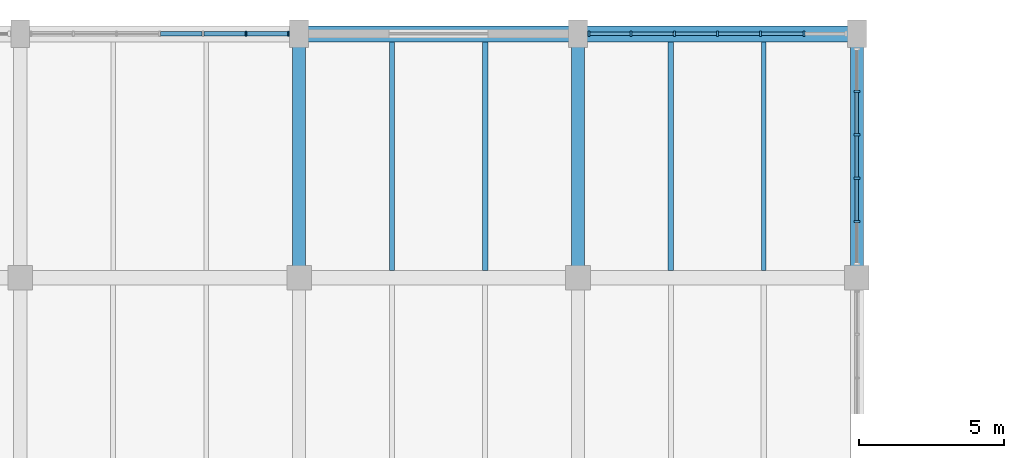
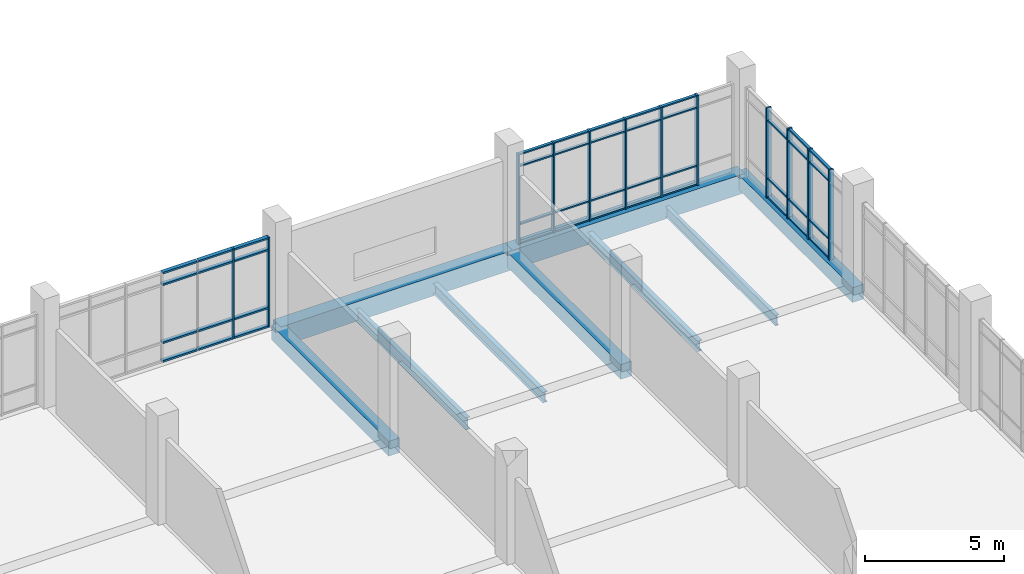
# One storey, part 80 of 152: 55 members, 9 beams, 3 elements without a shape of their own.
"""IFC4 building model written with IfcOpenShell, lengths in metres."""

from ifc_helpers import new_model, si_unit, direction, frame, origin, origin_2d, place, context, subcontext, project, spatial, rectangle, i_section, extrude, material, material_profile, profile_set, type_object, element, aggregate, save


model = new_model("IFC4")

# Units and contexts
model_context = context("Model", 3, precision=1e-05, world=origin(), true_north=direction((0.0, 1.0)))
body_context = subcontext(model_context, "Body", "Model", "MODEL_VIEW")
ifc_project = project(units=[si_unit("LENGTHUNIT", "METRE"), si_unit("AREAUNIT", "SQUARE_METRE"), si_unit("VOLUMEUNIT", "CUBIC_METRE"), si_unit("PLANEANGLEUNIT", "RADIAN"), si_unit("MASSUNIT", "GRAM", prefix="KILO")], contexts=[model_context])

# Site, building, storey
site_placement = place(None, origin())
site = spatial("IfcSite", under=ifc_project, at=site_placement, CompositionType="ELEMENT")
building_placement = place(site_placement, origin())
building = spatial("IfcBuilding", under=site, at=building_placement, Name="Oolite Switchyard Hospital", CompositionType="ELEMENT")
storey_placement = place(building_placement, frame((0.0, 0.0, 5.10009765625)))
storey = spatial("IfcBuildingStorey", under=building, at=storey_placement, Name="L01", CompositionType="ELEMENT", Elevation=5.10009765625)

# Beams
ifc_material_1 = material(Name="Concrete C40/50", Category="concrete")
ifc_material_profile_1 = material_profile(ifc_material_1, rectangle(XDim=0.449951171875, YDim=0.64990234375, at=origin_2d()), Name="RCB450X650")
ifc_profile_set_1 = profile_set([ifc_material_profile_1], Name="Concrete C40/50")
beam_type_1 = type_object("IfcBeamType", Name="BM-RC450X650", PredefinedType="BEAM", material=ifc_profile_set_1)
for number, where, z_axis, x_axis, name in (
    (1, (57.60009765625, 126.0, -0.3251953125), (0.0, 1.0, 0.0), (-1.0, 0.0, 0.0), "L01 Y-Girder 396"),
    (2, (67.199951171875, 126.0, -0.3251953125), (0.0, 1.0, 0.0), (-1.0, 0.0, 0.0), "L01 Y-Girder 406"),
    (3, (76.800048828125, 126.0, -0.3251953125), (0.0, 1.0, 0.0), (-1.0, 0.0, 0.0), "L01 Y-Girder 412"),
):
    element("IfcBeam", number, at=place(storey_placement, frame(where, z_axis=z_axis, x_axis=x_axis)), inside=storey, type_object=beam_type_1, Name=name, PredefinedType="BEAM", context=body_context, shape_type="SweptSolid", body=[
        extrude(rectangle(XDim=0.449951171875, YDim=0.64990234375, at=origin_2d()), origin(), (0.0, 0.0, 1.0), 8.39990234375),
    ])
ifc_material_profile_2 = material_profile(ifc_material_1, rectangle(XDim=0.550048828125, YDim=0.85009765625, at=origin_2d()), Name="RCB550X850")
ifc_profile_set_2 = profile_set([ifc_material_profile_2], Name="Concrete C40/50")
beam_type_2 = type_object("IfcBeamType", Name="BM-RC550X850", PredefinedType="BEAM", material=ifc_profile_set_2)
beam_1_placement = place(storey_placement, frame((57.60009765625, 134.39990234375, -0.425048828125), z_axis=(1.0, 0.0, 0.0), x_axis=(0.0, 1.0, 0.0)))
element("IfcBeam", 4, at=beam_1_placement, inside=storey, type_object=beam_type_2, Name="L01 X-Girder 276", PredefinedType="BEAM", context=body_context, shape_type="SweptSolid", body=[
    extrude(rectangle(XDim=0.550048828125, YDim=0.85009765625, at=origin_2d()), origin(), (0.0, 0.0, 1.0), 9.599853515625),
])
beam_2_placement = place(storey_placement, frame((67.199951171875, 134.39990234375, -0.425048828125), z_axis=(1.0, 0.0, 0.0), x_axis=(0.0, 1.0, 0.0)))
element("IfcBeam", 5, at=beam_2_placement, inside=storey, type_object=beam_type_2, Name="L01 X-Girder 277", PredefinedType="BEAM", context=body_context, shape_type="SweptSolid", body=[
    extrude(rectangle(XDim=0.550048828125, YDim=0.85009765625, at=origin_2d()), origin(), (0.0, 0.0, 1.0), 9.60009765625),
])
ifc_material_2 = material(Name="Steel ASTM A992 Grade 50", Category="steel")
ifc_material_profile_3 = material_profile(ifc_material_2, i_section(OverallWidth=0.153076171875, OverallDepth=0.455078125, WebThickness=0.008056640625, FlangeThickness=0.012939453125, at=origin_2d()), Name="W18X40")
ifc_profile_set_3 = profile_set([ifc_material_profile_3], Name="Steel ASTM A992 Grade 50")
beam_type_3 = type_object("IfcBeamType", Name="BM-W18X40", PredefinedType="JOIST", material=ifc_profile_set_3)
beam_3_placement = place(storey_placement, frame((73.60009765625, 126.25, -0.528076171875), z_axis=(0.0, 1.0, 0.0), x_axis=(-1.0, 0.0, 0.0)))
element("IfcBeam", 6, at=beam_3_placement, inside=storey, type_object=beam_type_3, Name="L01 Secondary Steel Joist 763", PredefinedType="JOIST", context=body_context, shape_type="SweptSolid", body=[
    extrude(i_section(OverallWidth=0.153076171875, OverallDepth=0.455078125, WebThickness=0.008056640625, FlangeThickness=0.012939453125, at=origin_2d()), origin(), (0.0, 0.0, 1.0), 7.875),
])
ifc_material_profile_4 = material_profile(ifc_material_2, i_section(OverallWidth=0.19091796875, OverallDepth=0.4599609375, WebThickness=0.010009765625, FlangeThickness=0.01611328125, at=origin_2d()), Name="W18X55")
ifc_profile_set_4 = profile_set([ifc_material_profile_4], Name="Steel ASTM A992 Grade 50")
beam_type_4 = type_object("IfcBeamType", Name="BM-W18X55", PredefinedType="JOIST", material=ifc_profile_set_4)
for number, where, z_axis, x_axis, name in (
    (7, (64.0, 126.25, -0.530029296875), (0.0, 1.0, 0.0), (-1.0, 0.0, 0.0), "L01 Secondary Steel Joist 753"),
    (8, (70.39990234375, 126.25, -0.530029296875), (0.0, 1.0, 0.0), (-1.0, 0.0, 0.0), "L01 Secondary Steel Joist 762"),
):
    element("IfcBeam", number, at=place(storey_placement, frame(where, z_axis=z_axis, x_axis=x_axis)), inside=storey, type_object=beam_type_4, Name=name, PredefinedType="JOIST", context=body_context, shape_type="SweptSolid", body=[
        extrude(i_section(OverallWidth=0.19091796875, OverallDepth=0.4599609375, WebThickness=0.010009765625, FlangeThickness=0.01611328125, at=origin_2d()), origin(), (0.0, 0.0, 1.0), 7.875),
    ])
ifc_material_profile_5 = material_profile(ifc_material_2, i_section(OverallWidth=0.166015625, OverallDepth=0.529052734375, WebThickness=0.010009765625, FlangeThickness=0.013916015625, at=origin_2d()), Name="W21X50")
ifc_profile_set_5 = profile_set([ifc_material_profile_5], Name="Steel ASTM A992 Grade 50")
beam_type_5 = type_object("IfcBeamType", Name="BM-W21X50", PredefinedType="JOIST", material=ifc_profile_set_5)
beam_4_placement = place(storey_placement, frame((60.800048828125, 126.25, -0.564208984375), z_axis=(0.0, 1.0, 0.0), x_axis=(-1.0, 0.0, 0.0)))
element("IfcBeam", 9, at=beam_4_placement, inside=storey, type_object=beam_type_5, Name="L01 Secondary Steel Joist 752", PredefinedType="JOIST", context=body_context, shape_type="SweptSolid", body=[
    extrude(i_section(OverallWidth=0.166015625, OverallDepth=0.529052734375, WebThickness=0.010009765625, FlangeThickness=0.013916015625, at=origin_2d()), origin(), (0.0, 0.0, 1.0), 7.875),
])

# Curtain wall, members
ifc_material_3 = material(Name="Thermally broken aluminum frame with laminated impact glazing", Category="aluminium")
curtain_wall_type_1 = type_object("IfcCurtainWallType", Name="CW-UNIT-96X48", PredefinedType="USERDEFINED", material=ifc_material_3)
curtain_wall_1_placement = place(storey_placement, origin())
curtain_wall_1 = element("IfcCurtainWall", 10, at=curtain_wall_1_placement, inside=storey, type_object=curtain_wall_type_1, Name="L01 Unitised Curtain Wall 155", ObjectType="UNITISED", PredefinedType="USERDEFINED")
ifc_material_4 = material(Name="Aluminium 6063-T6", Category="aluminium")
ifc_material_profile_6 = material_profile(ifc_material_4, rectangle(XDim=0.159912109375, YDim=0.06005859375, at=origin_2d()), Name="CWM60X160")
ifc_profile_set_6 = profile_set([ifc_material_profile_6], Name="Aluminium 6063-T6")
member_type_1 = type_object("IfcMemberType", Name="CW-MUL-180", PredefinedType="MULLION", material=ifc_profile_set_6)
member_1_placement = place(storey_placement, frame((55.7734375, 134.39990234375, 0.0), z_axis=(0.0, 0.0, 1.0), x_axis=(0.0, 1.0, 0.0)))
member_1 = element("IfcMember", 11, at=member_1_placement, type_object=member_type_1, Name="CW-02 mullion 6", PredefinedType="MULLION", context=body_context, shape_type="SweptSolid", body=[
    extrude(rectangle(XDim=0.159912109375, YDim=0.06005859375, at=origin_2d()), origin(), (0.0, 0.0, 1.0), 3.93994140625),
])
member_2_placement = place(storey_placement, frame((57.22998046875, 134.39990234375, 0.0), z_axis=(0.0, 0.0, 1.0), x_axis=(0.0, 1.0, 0.0)))
member_2 = element("IfcMember", 12, at=member_2_placement, type_object=member_type_1, Name="CW-02 mullion 7", PredefinedType="MULLION", context=body_context, shape_type="SweptSolid", body=[
    extrude(rectangle(XDim=0.159912109375, YDim=0.06005859375, at=origin_2d()), origin(), (0.0, 0.0, 1.0), 3.93994140625),
])

curtain_wall_2_placement = place(storey_placement, origin())
curtain_wall_2 = element("IfcCurtainWall", 13, at=curtain_wall_2_placement, inside=storey, type_object=curtain_wall_type_1, Name="L01 Unitised Curtain Wall 156", ObjectType="UNITISED", PredefinedType="USERDEFINED")
ifc_material_profile_7 = material_profile(ifc_material_4, rectangle(XDim=0.179931640625, YDim=0.070068359375, at=origin_2d()), Name="CWM70X180")
ifc_profile_set_7 = profile_set([ifc_material_profile_7], Name="Aluminium 6063-T6")
member_type_2 = type_object("IfcMemberType", Name="CW-MUL-220", PredefinedType="MULLION", material=ifc_profile_set_7)
member_3_placement = place(storey_placement, frame((67.574951171875, 134.39990234375, 0.0), z_axis=(0.0, 0.0, 1.0), x_axis=(0.0, 1.0, 0.0)))
member_3 = element("IfcMember", 14, at=member_3_placement, type_object=member_type_2, Name="CW-02 mullion 1", PredefinedType="MULLION", context=body_context, shape_type="SweptSolid", body=[
    extrude(rectangle(XDim=0.179931640625, YDim=0.070068359375, at=origin_2d()), origin(), (0.0, 0.0, 1.0), 3.93994140625),
])
member_4_placement = place(storey_placement, frame((69.026611328125, 134.39990234375, 0.0), z_axis=(0.0, 0.0, 1.0), x_axis=(0.0, 1.0, 0.0)))
member_4 = element("IfcMember", 15, at=member_4_placement, type_object=member_type_2, Name="CW-02 mullion 2", PredefinedType="MULLION", context=body_context, shape_type="SweptSolid", body=[
    extrude(rectangle(XDim=0.179931640625, YDim=0.070068359375, at=origin_2d()), origin(), (0.0, 0.0, 1.0), 3.93994140625),
])
member_5_placement = place(storey_placement, frame((70.513427734375, 134.39990234375, 0.0), z_axis=(0.0, 0.0, 1.0), x_axis=(0.0, 1.0, 0.0)))
member_5 = element("IfcMember", 16, at=member_5_placement, type_object=member_type_2, Name="CW-02 mullion 3", PredefinedType="MULLION", context=body_context, shape_type="SweptSolid", body=[
    extrude(rectangle(XDim=0.179931640625, YDim=0.070068359375, at=origin_2d()), origin(), (0.0, 0.0, 1.0), 3.93994140625),
])
member_6_placement = place(storey_placement, frame((72.0, 134.39990234375, 0.0), z_axis=(0.0, 0.0, 1.0), x_axis=(0.0, 1.0, 0.0)))
member_6 = element("IfcMember", 17, at=member_6_placement, type_object=member_type_2, Name="CW-02 mullion 4", PredefinedType="MULLION", context=body_context, shape_type="SweptSolid", body=[
    extrude(rectangle(XDim=0.179931640625, YDim=0.070068359375, at=origin_2d()), origin(), (0.0, 0.0, 1.0), 3.93994140625),
])
member_7_placement = place(storey_placement, frame((73.486572265625, 134.39990234375, 0.0), z_axis=(0.0, 0.0, 1.0), x_axis=(0.0, 1.0, 0.0)))
member_7 = element("IfcMember", 18, at=member_7_placement, type_object=member_type_2, Name="CW-02 mullion 5", PredefinedType="MULLION", context=body_context, shape_type="SweptSolid", body=[
    extrude(rectangle(XDim=0.179931640625, YDim=0.070068359375, at=origin_2d()), origin(), (0.0, 0.0, 1.0), 3.93994140625),
])
member_8_placement = place(storey_placement, frame((74.973388671875, 134.39990234375, 0.0), z_axis=(0.0, 0.0, 1.0), x_axis=(0.0, 1.0, 0.0)))
member_8 = element("IfcMember", 19, at=member_8_placement, type_object=member_type_2, Name="CW-02 mullion 6", PredefinedType="MULLION", context=body_context, shape_type="SweptSolid", body=[
    extrude(rectangle(XDim=0.179931640625, YDim=0.070068359375, at=origin_2d()), origin(), (0.0, 0.0, 1.0), 3.93994140625),
])

curtain_wall_type_2 = type_object("IfcCurtainWallType", Name="CW-UNIT-84X48", PredefinedType="USERDEFINED", material=ifc_material_3)
curtain_wall_3_placement = place(storey_placement, origin())
curtain_wall_3 = element("IfcCurtainWall", 20, at=curtain_wall_3_placement, inside=storey, type_object=curtain_wall_type_2, Name="L01 Unitised Curtain Wall 178", ObjectType="UNITISED", PredefinedType="USERDEFINED")
ifc_material_profile_8 = material_profile(ifc_material_4, rectangle(XDim=0.199951171875, YDim=0.074951171875, at=origin_2d()), Name="CWM75X200")
ifc_profile_set_8 = profile_set([ifc_material_profile_8], Name="Aluminium 6063-T6")
member_type_3 = type_object("IfcMemberType", Name="CW-MUL-260", PredefinedType="MULLION", material=ifc_profile_set_8)
member_9_placement = place(storey_placement, frame((76.800048828125, 132.416015625, 0.0), z_axis=(0.0, 0.0, 1.0), x_axis=(1.0, 0.0, 0.0)))
member_9 = element("IfcMember", 21, at=member_9_placement, type_object=member_type_3, Name="CW-07 mullion 2", PredefinedType="MULLION", context=body_context, shape_type="SweptSolid", body=[
    extrude(rectangle(XDim=0.199951171875, YDim=0.074951171875, at=origin_2d()), origin(), (0.0, 0.0, 1.0), 3.93994140625),
])
member_10_placement = place(storey_placement, frame((76.800048828125, 130.922119140625, 0.0), z_axis=(0.0, 0.0, 1.0), x_axis=(1.0, 0.0, 0.0)))
member_10 = element("IfcMember", 22, at=member_10_placement, type_object=member_type_3, Name="CW-07 mullion 3", PredefinedType="MULLION", context=body_context, shape_type="SweptSolid", body=[
    extrude(rectangle(XDim=0.199951171875, YDim=0.074951171875, at=origin_2d()), origin(), (0.0, 0.0, 1.0), 3.93994140625),
])
member_11_placement = place(storey_placement, frame((76.800048828125, 129.427978515625, 0.0), z_axis=(0.0, 0.0, 1.0), x_axis=(1.0, 0.0, 0.0)))
member_11 = element("IfcMember", 23, at=member_11_placement, type_object=member_type_3, Name="CW-07 mullion 4", PredefinedType="MULLION", context=body_context, shape_type="SweptSolid", body=[
    extrude(rectangle(XDim=0.199951171875, YDim=0.074951171875, at=origin_2d()), origin(), (0.0, 0.0, 1.0), 3.93994140625),
])
member_12_placement = place(storey_placement, frame((76.800048828125, 127.93408203125, 0.0), z_axis=(0.0, 0.0, 1.0), x_axis=(1.0, 0.0, 0.0)))
member_12 = element("IfcMember", 24, at=member_12_placement, type_object=member_type_3, Name="CW-07 mullion 5", PredefinedType="MULLION", context=body_context, shape_type="SweptSolid", body=[
    extrude(rectangle(XDim=0.199951171875, YDim=0.074951171875, at=origin_2d()), origin(), (0.0, 0.0, 1.0), 3.93994140625),
])

# Member
ifc_material_profile_9 = material_profile(ifc_material_4, rectangle(XDim=0.1201171875, YDim=0.06005859375, at=origin_2d()), Name="CWT60X120")
ifc_profile_set_9 = profile_set([ifc_material_profile_9], Name="Aluminium 6063-T6")
member_type_4 = type_object("IfcMemberType", Name="CW-TRN-150", PredefinedType="USERDEFINED", material=ifc_profile_set_9)
member_13_placement = place(storey_placement, frame((67.610107421875, 134.39990234375, 0.02978515625), z_axis=(1.0, 0.0, 0.0), x_axis=(0.0, 1.0, 0.0)))
member_13 = element("IfcMember", 25, at=member_13_placement, type_object=member_type_4, Name="CW-02 transom 1.1", ObjectType="TRANSOM", PredefinedType="USERDEFINED", context=body_context, shape_type="SweptSolid", body=[
    extrude(rectangle(XDim=0.1201171875, YDim=0.06005859375, at=origin_2d()), origin(), (0.0, 0.0, 1.0), 1.381591796875),
])

member_14_placement = place(storey_placement, frame((67.610107421875, 134.39990234375, 0.849853515625), z_axis=(1.0, 0.0, 0.0), x_axis=(0.0, 1.0, 0.0)))
member_14 = element("IfcMember", 26, at=member_14_placement, type_object=member_type_4, Name="CW-02 transom 1.2", ObjectType="TRANSOM", PredefinedType="USERDEFINED", context=body_context, shape_type="SweptSolid", body=[
    extrude(rectangle(XDim=0.1201171875, YDim=0.06005859375, at=origin_2d()), origin(), (0.0, 0.0, 1.0), 1.381591796875),
])

member_15_placement = place(storey_placement, frame((67.610107421875, 134.39990234375, 3.389892578125), z_axis=(1.0, 0.0, 0.0), x_axis=(0.0, 1.0, 0.0)))
member_15 = element("IfcMember", 27, at=member_15_placement, type_object=member_type_4, Name="CW-02 transom 1.3", ObjectType="TRANSOM", PredefinedType="USERDEFINED", context=body_context, shape_type="SweptSolid", body=[
    extrude(rectangle(XDim=0.1201171875, YDim=0.06005859375, at=origin_2d()), origin(), (0.0, 0.0, 1.0), 1.381591796875),
])

member_16_placement = place(storey_placement, frame((67.610107421875, 134.39990234375, 3.909912109375), z_axis=(1.0, 0.0, 0.0), x_axis=(0.0, 1.0, 0.0)))
member_16 = element("IfcMember", 28, at=member_16_placement, type_object=member_type_4, Name="CW-02 transom 1.4", ObjectType="TRANSOM", PredefinedType="USERDEFINED", context=body_context, shape_type="SweptSolid", body=[
    extrude(rectangle(XDim=0.1201171875, YDim=0.06005859375, at=origin_2d()), origin(), (0.0, 0.0, 1.0), 1.381591796875),
])

member_17_placement = place(storey_placement, frame((69.061767578125, 134.39990234375, 0.02978515625), z_axis=(1.0, 0.0, 0.0), x_axis=(0.0, 1.0, 0.0)))
member_17 = element("IfcMember", 29, at=member_17_placement, type_object=member_type_4, Name="CW-02 transom 2.1", ObjectType="TRANSOM", PredefinedType="USERDEFINED", context=body_context, shape_type="SweptSolid", body=[
    extrude(rectangle(XDim=0.1201171875, YDim=0.06005859375, at=origin_2d()), origin(), (0.0, 0.0, 1.0), 1.41650390625),
])

member_18_placement = place(storey_placement, frame((69.061767578125, 134.39990234375, 0.849853515625), z_axis=(1.0, 0.0, 0.0), x_axis=(0.0, 1.0, 0.0)))
member_18 = element("IfcMember", 30, at=member_18_placement, type_object=member_type_4, Name="CW-02 transom 2.2", ObjectType="TRANSOM", PredefinedType="USERDEFINED", context=body_context, shape_type="SweptSolid", body=[
    extrude(rectangle(XDim=0.1201171875, YDim=0.06005859375, at=origin_2d()), origin(), (0.0, 0.0, 1.0), 1.41650390625),
])

member_19_placement = place(storey_placement, frame((69.061767578125, 134.39990234375, 3.389892578125), z_axis=(1.0, 0.0, 0.0), x_axis=(0.0, 1.0, 0.0)))
member_19 = element("IfcMember", 31, at=member_19_placement, type_object=member_type_4, Name="CW-02 transom 2.3", ObjectType="TRANSOM", PredefinedType="USERDEFINED", context=body_context, shape_type="SweptSolid", body=[
    extrude(rectangle(XDim=0.1201171875, YDim=0.06005859375, at=origin_2d()), origin(), (0.0, 0.0, 1.0), 1.41650390625),
])

member_20_placement = place(storey_placement, frame((69.061767578125, 134.39990234375, 3.909912109375), z_axis=(1.0, 0.0, 0.0), x_axis=(0.0, 1.0, 0.0)))
member_20 = element("IfcMember", 32, at=member_20_placement, type_object=member_type_4, Name="CW-02 transom 2.4", ObjectType="TRANSOM", PredefinedType="USERDEFINED", context=body_context, shape_type="SweptSolid", body=[
    extrude(rectangle(XDim=0.1201171875, YDim=0.06005859375, at=origin_2d()), origin(), (0.0, 0.0, 1.0), 1.41650390625),
])

member_21_placement = place(storey_placement, frame((70.54833984375, 134.39990234375, 0.02978515625), z_axis=(1.0, 0.0, 0.0), x_axis=(0.0, 1.0, 0.0)))
member_21 = element("IfcMember", 33, at=member_21_placement, type_object=member_type_4, Name="CW-02 transom 3.1", ObjectType="TRANSOM", PredefinedType="USERDEFINED", context=body_context, shape_type="SweptSolid", body=[
    extrude(rectangle(XDim=0.1201171875, YDim=0.06005859375, at=origin_2d()), origin(), (0.0, 0.0, 1.0), 1.416748046875),
])

member_22_placement = place(storey_placement, frame((70.54833984375, 134.39990234375, 0.849853515625), z_axis=(1.0, 0.0, 0.0), x_axis=(0.0, 1.0, 0.0)))
member_22 = element("IfcMember", 34, at=member_22_placement, type_object=member_type_4, Name="CW-02 transom 3.2", ObjectType="TRANSOM", PredefinedType="USERDEFINED", context=body_context, shape_type="SweptSolid", body=[
    extrude(rectangle(XDim=0.1201171875, YDim=0.06005859375, at=origin_2d()), origin(), (0.0, 0.0, 1.0), 1.416748046875),
])

member_23_placement = place(storey_placement, frame((70.54833984375, 134.39990234375, 3.389892578125), z_axis=(1.0, 0.0, 0.0), x_axis=(0.0, 1.0, 0.0)))
member_23 = element("IfcMember", 35, at=member_23_placement, type_object=member_type_4, Name="CW-02 transom 3.3", ObjectType="TRANSOM", PredefinedType="USERDEFINED", context=body_context, shape_type="SweptSolid", body=[
    extrude(rectangle(XDim=0.1201171875, YDim=0.06005859375, at=origin_2d()), origin(), (0.0, 0.0, 1.0), 1.416748046875),
])

member_24_placement = place(storey_placement, frame((70.54833984375, 134.39990234375, 3.909912109375), z_axis=(1.0, 0.0, 0.0), x_axis=(0.0, 1.0, 0.0)))
member_24 = element("IfcMember", 36, at=member_24_placement, type_object=member_type_4, Name="CW-02 transom 3.4", ObjectType="TRANSOM", PredefinedType="USERDEFINED", context=body_context, shape_type="SweptSolid", body=[
    extrude(rectangle(XDim=0.1201171875, YDim=0.06005859375, at=origin_2d()), origin(), (0.0, 0.0, 1.0), 1.416748046875),
])

member_25_placement = place(storey_placement, frame((72.034912109375, 134.39990234375, 0.02978515625), z_axis=(1.0, 0.0, 0.0), x_axis=(0.0, 1.0, 0.0)))
member_25 = element("IfcMember", 37, at=member_25_placement, type_object=member_type_4, Name="CW-02 transom 4.1", ObjectType="TRANSOM", PredefinedType="USERDEFINED", context=body_context, shape_type="SweptSolid", body=[
    extrude(rectangle(XDim=0.1201171875, YDim=0.06005859375, at=origin_2d()), origin(), (0.0, 0.0, 1.0), 1.416748046875),
])

member_26_placement = place(storey_placement, frame((72.034912109375, 134.39990234375, 0.849853515625), z_axis=(1.0, 0.0, 0.0), x_axis=(0.0, 1.0, 0.0)))
member_26 = element("IfcMember", 38, at=member_26_placement, type_object=member_type_4, Name="CW-02 transom 4.2", ObjectType="TRANSOM", PredefinedType="USERDEFINED", context=body_context, shape_type="SweptSolid", body=[
    extrude(rectangle(XDim=0.1201171875, YDim=0.06005859375, at=origin_2d()), origin(), (0.0, 0.0, 1.0), 1.416748046875),
])

member_27_placement = place(storey_placement, frame((72.034912109375, 134.39990234375, 3.389892578125), z_axis=(1.0, 0.0, 0.0), x_axis=(0.0, 1.0, 0.0)))
member_27 = element("IfcMember", 39, at=member_27_placement, type_object=member_type_4, Name="CW-02 transom 4.3", ObjectType="TRANSOM", PredefinedType="USERDEFINED", context=body_context, shape_type="SweptSolid", body=[
    extrude(rectangle(XDim=0.1201171875, YDim=0.06005859375, at=origin_2d()), origin(), (0.0, 0.0, 1.0), 1.416748046875),
])

member_28_placement = place(storey_placement, frame((72.034912109375, 134.39990234375, 3.909912109375), z_axis=(1.0, 0.0, 0.0), x_axis=(0.0, 1.0, 0.0)))
member_28 = element("IfcMember", 40, at=member_28_placement, type_object=member_type_4, Name="CW-02 transom 4.4", ObjectType="TRANSOM", PredefinedType="USERDEFINED", context=body_context, shape_type="SweptSolid", body=[
    extrude(rectangle(XDim=0.1201171875, YDim=0.06005859375, at=origin_2d()), origin(), (0.0, 0.0, 1.0), 1.416748046875),
])

member_29_placement = place(storey_placement, frame((73.521728515625, 134.39990234375, 0.02978515625), z_axis=(1.0, 0.0, 0.0), x_axis=(0.0, 1.0, 0.0)))
member_29 = element("IfcMember", 41, at=member_29_placement, type_object=member_type_4, Name="CW-02 transom 5.1", ObjectType="TRANSOM", PredefinedType="USERDEFINED", context=body_context, shape_type="SweptSolid", body=[
    extrude(rectangle(XDim=0.1201171875, YDim=0.06005859375, at=origin_2d()), origin(), (0.0, 0.0, 1.0), 1.41650390625),
])

member_30_placement = place(storey_placement, frame((73.521728515625, 134.39990234375, 0.849853515625), z_axis=(1.0, 0.0, 0.0), x_axis=(0.0, 1.0, 0.0)))
member_30 = element("IfcMember", 42, at=member_30_placement, type_object=member_type_4, Name="CW-02 transom 5.2", ObjectType="TRANSOM", PredefinedType="USERDEFINED", context=body_context, shape_type="SweptSolid", body=[
    extrude(rectangle(XDim=0.1201171875, YDim=0.06005859375, at=origin_2d()), origin(), (0.0, 0.0, 1.0), 1.41650390625),
])

member_31_placement = place(storey_placement, frame((73.521728515625, 134.39990234375, 3.389892578125), z_axis=(1.0, 0.0, 0.0), x_axis=(0.0, 1.0, 0.0)))
member_31 = element("IfcMember", 43, at=member_31_placement, type_object=member_type_4, Name="CW-02 transom 5.3", ObjectType="TRANSOM", PredefinedType="USERDEFINED", context=body_context, shape_type="SweptSolid", body=[
    extrude(rectangle(XDim=0.1201171875, YDim=0.06005859375, at=origin_2d()), origin(), (0.0, 0.0, 1.0), 1.41650390625),
])

member_32_placement = place(storey_placement, frame((73.521728515625, 134.39990234375, 3.909912109375), z_axis=(1.0, 0.0, 0.0), x_axis=(0.0, 1.0, 0.0)))
member_32 = element("IfcMember", 44, at=member_32_placement, type_object=member_type_4, Name="CW-02 transom 5.4", ObjectType="TRANSOM", PredefinedType="USERDEFINED", context=body_context, shape_type="SweptSolid", body=[
    extrude(rectangle(XDim=0.1201171875, YDim=0.06005859375, at=origin_2d()), origin(), (0.0, 0.0, 1.0), 1.41650390625),
])

aggregate(curtain_wall_2, [member_3, member_4, member_5, member_6, member_7, member_8, member_13, member_14, member_15, member_16, member_17, member_18, member_19, member_20, member_21, member_22, member_23, member_24, member_25, member_26, member_27, member_28, member_29, member_30, member_31, member_32])

member_33_placement = place(storey_placement, frame((76.800048828125, 132.37841796875, 0.02978515625), z_axis=(0.0, -1.0, 0.0), x_axis=(1.0, 0.0, 0.0)))
member_33 = element("IfcMember", 45, at=member_33_placement, type_object=member_type_4, Name="CW-07 transom 2.1", ObjectType="TRANSOM", PredefinedType="USERDEFINED", context=body_context, shape_type="SweptSolid", body=[
    extrude(rectangle(XDim=0.1201171875, YDim=0.06005859375, at=origin_2d()), origin(), (0.0, 0.0, 1.0), 1.4189453125),
])

member_34_placement = place(storey_placement, frame((76.800048828125, 132.37841796875, 0.849853515625), z_axis=(0.0, -1.0, 0.0), x_axis=(1.0, 0.0, 0.0)))
member_34 = element("IfcMember", 46, at=member_34_placement, type_object=member_type_4, Name="CW-07 transom 2.2", ObjectType="TRANSOM", PredefinedType="USERDEFINED", context=body_context, shape_type="SweptSolid", body=[
    extrude(rectangle(XDim=0.1201171875, YDim=0.06005859375, at=origin_2d()), origin(), (0.0, 0.0, 1.0), 1.4189453125),
])

member_35_placement = place(storey_placement, frame((76.800048828125, 132.37841796875, 3.389892578125), z_axis=(0.0, -1.0, 0.0), x_axis=(1.0, 0.0, 0.0)))
member_35 = element("IfcMember", 47, at=member_35_placement, type_object=member_type_4, Name="CW-07 transom 2.3", ObjectType="TRANSOM", PredefinedType="USERDEFINED", context=body_context, shape_type="SweptSolid", body=[
    extrude(rectangle(XDim=0.1201171875, YDim=0.06005859375, at=origin_2d()), origin(), (0.0, 0.0, 1.0), 1.4189453125),
])

member_36_placement = place(storey_placement, frame((76.800048828125, 130.884521484375, 0.02978515625), z_axis=(0.0, -1.0, 0.0), x_axis=(1.0, 0.0, 0.0)))
member_36 = element("IfcMember", 48, at=member_36_placement, type_object=member_type_4, Name="CW-07 transom 3.1", ObjectType="TRANSOM", PredefinedType="USERDEFINED", context=body_context, shape_type="SweptSolid", body=[
    extrude(rectangle(XDim=0.1201171875, YDim=0.06005859375, at=origin_2d()), origin(), (0.0, 0.0, 1.0), 1.4189453125),
])

member_37_placement = place(storey_placement, frame((76.800048828125, 130.884521484375, 0.849853515625), z_axis=(0.0, -1.0, 0.0), x_axis=(1.0, 0.0, 0.0)))
member_37 = element("IfcMember", 49, at=member_37_placement, type_object=member_type_4, Name="CW-07 transom 3.2", ObjectType="TRANSOM", PredefinedType="USERDEFINED", context=body_context, shape_type="SweptSolid", body=[
    extrude(rectangle(XDim=0.1201171875, YDim=0.06005859375, at=origin_2d()), origin(), (0.0, 0.0, 1.0), 1.4189453125),
])

member_38_placement = place(storey_placement, frame((76.800048828125, 130.884521484375, 3.389892578125), z_axis=(0.0, -1.0, 0.0), x_axis=(1.0, 0.0, 0.0)))
member_38 = element("IfcMember", 50, at=member_38_placement, type_object=member_type_4, Name="CW-07 transom 3.3", ObjectType="TRANSOM", PredefinedType="USERDEFINED", context=body_context, shape_type="SweptSolid", body=[
    extrude(rectangle(XDim=0.1201171875, YDim=0.06005859375, at=origin_2d()), origin(), (0.0, 0.0, 1.0), 1.4189453125),
])

member_39_placement = place(storey_placement, frame((76.800048828125, 130.884521484375, 3.909912109375), z_axis=(0.0, -1.0, 0.0), x_axis=(1.0, 0.0, 0.0)))
member_39 = element("IfcMember", 51, at=member_39_placement, type_object=member_type_4, Name="CW-07 transom 3.4", ObjectType="TRANSOM", PredefinedType="USERDEFINED", context=body_context, shape_type="SweptSolid", body=[
    extrude(rectangle(XDim=0.1201171875, YDim=0.06005859375, at=origin_2d()), origin(), (0.0, 0.0, 1.0), 1.4189453125),
])

member_40_placement = place(storey_placement, frame((76.800048828125, 129.390380859375, 0.02978515625), z_axis=(0.0, -1.0, 0.0), x_axis=(1.0, 0.0, 0.0)))
member_40 = element("IfcMember", 52, at=member_40_placement, type_object=member_type_4, Name="CW-07 transom 4.1", ObjectType="TRANSOM", PredefinedType="USERDEFINED", context=body_context, shape_type="SweptSolid", body=[
    extrude(rectangle(XDim=0.1201171875, YDim=0.06005859375, at=origin_2d()), origin(), (0.0, 0.0, 1.0), 1.4189453125),
])

member_41_placement = place(storey_placement, frame((76.800048828125, 129.390380859375, 0.849853515625), z_axis=(0.0, -1.0, 0.0), x_axis=(1.0, 0.0, 0.0)))
member_41 = element("IfcMember", 53, at=member_41_placement, type_object=member_type_4, Name="CW-07 transom 4.2", ObjectType="TRANSOM", PredefinedType="USERDEFINED", context=body_context, shape_type="SweptSolid", body=[
    extrude(rectangle(XDim=0.1201171875, YDim=0.06005859375, at=origin_2d()), origin(), (0.0, 0.0, 1.0), 1.4189453125),
])

member_42_placement = place(storey_placement, frame((76.800048828125, 129.390380859375, 3.389892578125), z_axis=(0.0, -1.0, 0.0), x_axis=(1.0, 0.0, 0.0)))
member_42 = element("IfcMember", 54, at=member_42_placement, type_object=member_type_4, Name="CW-07 transom 4.3", ObjectType="TRANSOM", PredefinedType="USERDEFINED", context=body_context, shape_type="SweptSolid", body=[
    extrude(rectangle(XDim=0.1201171875, YDim=0.06005859375, at=origin_2d()), origin(), (0.0, 0.0, 1.0), 1.4189453125),
])

member_43_placement = place(storey_placement, frame((76.800048828125, 129.390380859375, 3.909912109375), z_axis=(0.0, -1.0, 0.0), x_axis=(1.0, 0.0, 0.0)))
member_43 = element("IfcMember", 55, at=member_43_placement, type_object=member_type_4, Name="CW-07 transom 4.4", ObjectType="TRANSOM", PredefinedType="USERDEFINED", context=body_context, shape_type="SweptSolid", body=[
    extrude(rectangle(XDim=0.1201171875, YDim=0.06005859375, at=origin_2d()), origin(), (0.0, 0.0, 1.0), 1.4189453125),
])

aggregate(curtain_wall_3, [member_9, member_10, member_11, member_12, member_33, member_34, member_35, member_36, member_37, member_38, member_39, member_40, member_41, member_42, member_43])

ifc_material_profile_10 = material_profile(ifc_material_4, rectangle(XDim=0.159912109375, YDim=0.074951171875, at=origin_2d()), Name="CWT75X160")
ifc_profile_set_10 = profile_set([ifc_material_profile_10], Name="Aluminium 6063-T6")
member_type_5 = type_object("IfcMemberType", Name="CW-TRN-180", PredefinedType="USERDEFINED", material=ifc_profile_set_10)
member_44_placement = place(storey_placement, frame((52.830078125, 134.39990234375, 0.037353515625), z_axis=(1.0, 0.0, 0.0), x_axis=(0.0, 1.0, 0.0)))
member_44 = element("IfcMember", 56, at=member_44_placement, type_object=member_type_5, Name="CW-02 transom 4.1", ObjectType="TRANSOM", PredefinedType="USERDEFINED", context=body_context, shape_type="SweptSolid", body=[
    extrude(rectangle(XDim=0.159912109375, YDim=0.074951171875, at=origin_2d()), origin(), (0.0, 0.0, 1.0), 1.426513671875),
])

member_45_placement = place(storey_placement, frame((52.830078125, 134.39990234375, 0.849853515625), z_axis=(1.0, 0.0, 0.0), x_axis=(0.0, 1.0, 0.0)))
member_45 = element("IfcMember", 57, at=member_45_placement, type_object=member_type_5, Name="CW-02 transom 4.2", ObjectType="TRANSOM", PredefinedType="USERDEFINED", context=body_context, shape_type="SweptSolid", body=[
    extrude(rectangle(XDim=0.159912109375, YDim=0.074951171875, at=origin_2d()), origin(), (0.0, 0.0, 1.0), 1.426513671875),
])

member_46_placement = place(storey_placement, frame((52.830078125, 134.39990234375, 3.389892578125), z_axis=(1.0, 0.0, 0.0), x_axis=(0.0, 1.0, 0.0)))
member_46 = element("IfcMember", 58, at=member_46_placement, type_object=member_type_5, Name="CW-02 transom 4.3", ObjectType="TRANSOM", PredefinedType="USERDEFINED", context=body_context, shape_type="SweptSolid", body=[
    extrude(rectangle(XDim=0.159912109375, YDim=0.074951171875, at=origin_2d()), origin(), (0.0, 0.0, 1.0), 1.426513671875),
])

member_47_placement = place(storey_placement, frame((52.830078125, 134.39990234375, 3.90234375), z_axis=(1.0, 0.0, 0.0), x_axis=(0.0, 1.0, 0.0)))
member_47 = element("IfcMember", 59, at=member_47_placement, type_object=member_type_5, Name="CW-02 transom 4.4", ObjectType="TRANSOM", PredefinedType="USERDEFINED", context=body_context, shape_type="SweptSolid", body=[
    extrude(rectangle(XDim=0.159912109375, YDim=0.074951171875, at=origin_2d()), origin(), (0.0, 0.0, 1.0), 1.426513671875),
])

member_48_placement = place(storey_placement, frame((54.316650390625, 134.39990234375, 0.037353515625), z_axis=(1.0, 0.0, 0.0), x_axis=(0.0, 1.0, 0.0)))
member_48 = element("IfcMember", 60, at=member_48_placement, type_object=member_type_5, Name="CW-02 transom 5.1", ObjectType="TRANSOM", PredefinedType="USERDEFINED", context=body_context, shape_type="SweptSolid", body=[
    extrude(rectangle(XDim=0.159912109375, YDim=0.074951171875, at=origin_2d()), origin(), (0.0, 0.0, 1.0), 1.4267578125),
])

member_49_placement = place(storey_placement, frame((54.316650390625, 134.39990234375, 0.849853515625), z_axis=(1.0, 0.0, 0.0), x_axis=(0.0, 1.0, 0.0)))
member_49 = element("IfcMember", 61, at=member_49_placement, type_object=member_type_5, Name="CW-02 transom 5.2", ObjectType="TRANSOM", PredefinedType="USERDEFINED", context=body_context, shape_type="SweptSolid", body=[
    extrude(rectangle(XDim=0.159912109375, YDim=0.074951171875, at=origin_2d()), origin(), (0.0, 0.0, 1.0), 1.4267578125),
])

member_50_placement = place(storey_placement, frame((54.316650390625, 134.39990234375, 3.389892578125), z_axis=(1.0, 0.0, 0.0), x_axis=(0.0, 1.0, 0.0)))
member_50 = element("IfcMember", 62, at=member_50_placement, type_object=member_type_5, Name="CW-02 transom 5.3", ObjectType="TRANSOM", PredefinedType="USERDEFINED", context=body_context, shape_type="SweptSolid", body=[
    extrude(rectangle(XDim=0.159912109375, YDim=0.074951171875, at=origin_2d()), origin(), (0.0, 0.0, 1.0), 1.4267578125),
])

member_51_placement = place(storey_placement, frame((54.316650390625, 134.39990234375, 3.90234375), z_axis=(1.0, 0.0, 0.0), x_axis=(0.0, 1.0, 0.0)))
member_51 = element("IfcMember", 63, at=member_51_placement, type_object=member_type_5, Name="CW-02 transom 5.4", ObjectType="TRANSOM", PredefinedType="USERDEFINED", context=body_context, shape_type="SweptSolid", body=[
    extrude(rectangle(XDim=0.159912109375, YDim=0.074951171875, at=origin_2d()), origin(), (0.0, 0.0, 1.0), 1.4267578125),
])

member_52_placement = place(storey_placement, frame((55.80322265625, 134.39990234375, 0.037353515625), z_axis=(1.0, 0.0, 0.0), x_axis=(0.0, 1.0, 0.0)))
member_52 = element("IfcMember", 64, at=member_52_placement, type_object=member_type_5, Name="CW-02 transom 6.1", ObjectType="TRANSOM", PredefinedType="USERDEFINED", context=body_context, shape_type="SweptSolid", body=[
    extrude(rectangle(XDim=0.159912109375, YDim=0.074951171875, at=origin_2d()), origin(), (0.0, 0.0, 1.0), 1.396728515625),
])

member_53_placement = place(storey_placement, frame((55.80322265625, 134.39990234375, 0.849853515625), z_axis=(1.0, 0.0, 0.0), x_axis=(0.0, 1.0, 0.0)))
member_53 = element("IfcMember", 65, at=member_53_placement, type_object=member_type_5, Name="CW-02 transom 6.2", ObjectType="TRANSOM", PredefinedType="USERDEFINED", context=body_context, shape_type="SweptSolid", body=[
    extrude(rectangle(XDim=0.159912109375, YDim=0.074951171875, at=origin_2d()), origin(), (0.0, 0.0, 1.0), 1.396728515625),
])

member_54_placement = place(storey_placement, frame((55.80322265625, 134.39990234375, 3.389892578125), z_axis=(1.0, 0.0, 0.0), x_axis=(0.0, 1.0, 0.0)))
member_54 = element("IfcMember", 66, at=member_54_placement, type_object=member_type_5, Name="CW-02 transom 6.3", ObjectType="TRANSOM", PredefinedType="USERDEFINED", context=body_context, shape_type="SweptSolid", body=[
    extrude(rectangle(XDim=0.159912109375, YDim=0.074951171875, at=origin_2d()), origin(), (0.0, 0.0, 1.0), 1.396728515625),
])

member_55_placement = place(storey_placement, frame((55.80322265625, 134.39990234375, 3.90234375), z_axis=(1.0, 0.0, 0.0), x_axis=(0.0, 1.0, 0.0)))
member_55 = element("IfcMember", 67, at=member_55_placement, type_object=member_type_5, Name="CW-02 transom 6.4", ObjectType="TRANSOM", PredefinedType="USERDEFINED", context=body_context, shape_type="SweptSolid", body=[
    extrude(rectangle(XDim=0.159912109375, YDim=0.074951171875, at=origin_2d()), origin(), (0.0, 0.0, 1.0), 1.396728515625),
])

aggregate(curtain_wall_1, [member_1, member_2, member_44, member_45, member_46, member_47, member_48, member_49, member_50, member_51, member_52, member_53, member_54, member_55])

save(model, "model.ifc")
